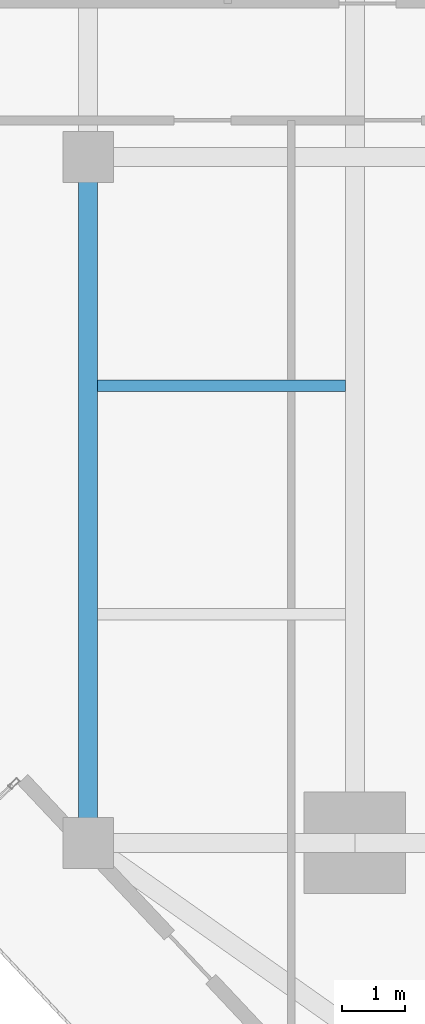
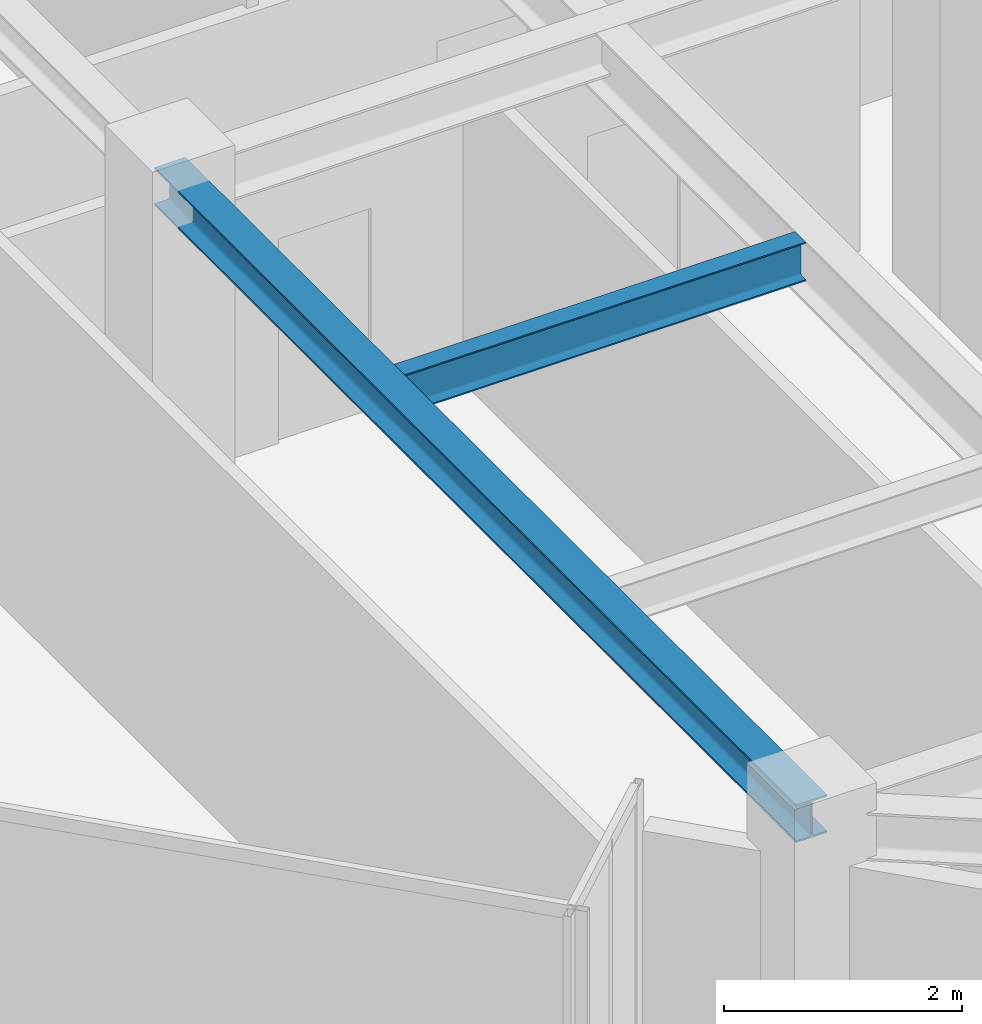
# One storey, part 6 of 24: 2 beams.
"""IFC4 building model written with IfcOpenShell, lengths in metres."""

from ifc_helpers import new_model, si_unit, direction, frame, origin, origin_2d, place, context, subcontext, project, spatial, i_section, extrude, source, transform, mapped, material, material_profile, profile_set, type_object, type_shapes, element, save


model = new_model("IFC4")

# Units and contexts
model_context = context("Model", 3, precision=1e-05, world=origin(), true_north=direction((0.0, 1.0)))
body_context = subcontext(model_context, "Body", "Model", "MODEL_VIEW")
ifc_project = project(units=[si_unit("LENGTHUNIT", "METRE"), si_unit("AREAUNIT", "SQUARE_METRE"), si_unit("VOLUMEUNIT", "CUBIC_METRE"), si_unit("PLANEANGLEUNIT", "RADIAN"), si_unit("MASSUNIT", "GRAM", prefix="KILO")], contexts=[model_context])

# Site, building, storey
site_placement = place(None, origin())
site = spatial("IfcSite", under=ifc_project, at=site_placement, CompositionType="ELEMENT")
building_placement = place(site_placement, origin())
building = spatial("IfcBuilding", under=site, at=building_placement, Name="Krantzveldt Concourse Tower", CompositionType="ELEMENT")
storey_placement = place(building_placement, frame((0.0, 0.0, 242.85009765625)))
storey = spatial("IfcBuildingStorey", under=building, at=storey_placement, Name="L59", CompositionType="ELEMENT", Elevation=242.85009765625)

# Beams
ifc_material = material(Name="Steel S355JR", Category="steel")
ifc_material_profile_1 = material_profile(ifc_material, i_section(OverallWidth=0.300048828125, OverallDepth=0.389892578125, WebThickness=0.010986328125, FlangeThickness=0.01904296875, FilletRadius=0.027099609375, at=origin_2d()), Name="Steel S355JR", Category="steel")
ifc_profile_set_1 = profile_set([ifc_material_profile_1], Name="Steel S355JR - HEA 400")
beam_type_1 = type_object("IfcBeamType", Name="BM-SP-HEA400", PredefinedType="SPANDREL", material=ifc_profile_set_1)
shared_shape_1 = source(origin(), body_context, "Body", "SweptSolid", [
    extrude(i_section(OverallWidth=0.300048828125, OverallDepth=0.389892578125, WebThickness=0.010986328125, FlangeThickness=0.01904296875, FilletRadius=0.027099609375, at=origin_2d()), origin(), (0.0, 0.0, 1.0), 10.800048828125),
])
type_shapes(beam_type_1, [shared_shape_1])
beam_1_placement = place(storey_placement, frame((21.0, 15.89990234375, 3.474853515625), z_axis=(0.0, 1.0, 0.0), x_axis=(-1.0, 0.0, 0.0)))
element("IfcBeam", 1, at=beam_1_placement, inside=storey, type_object=beam_type_1, Name="L59 Tower Girder SP-R01", PredefinedType="SPANDREL", context=body_context, shape_type="MappedRepresentation", body=[
    mapped(shared_shape_1, transform((0.0, 0.0, 0.0), x_axis=(1.0, 0.0, 0.0), y_axis=(0.0, 1.0, 0.0), z_axis=(0.0, 0.0, 1.0), scale=1.0)),
])
ifc_material_profile_2 = material_profile(ifc_material, i_section(OverallWidth=0.179931640625, OverallDepth=0.39990234375, WebThickness=0.008544921875, FlangeThickness=0.013427734375, FilletRadius=0.02099609375, at=origin_2d()), Name="Steel S355JR", Category="steel")
ifc_profile_set_2 = profile_set([ifc_material_profile_2], Name="Steel S355JR - IPE 400")
beam_type_2 = type_object("IfcBeamType", Name="BM-J-IPE400", PredefinedType="JOIST", material=ifc_profile_set_2)
shared_shape_2 = source(origin(), body_context, "Body", "SweptSolid", [
    extrude(i_section(OverallWidth=0.179931640625, OverallDepth=0.39990234375, WebThickness=0.008544921875, FlangeThickness=0.013427734375, FilletRadius=0.02099609375, at=origin_2d()), origin(), (0.0, 0.0, 1.0), 3.900146484375),
])
type_shapes(beam_type_2, [shared_shape_2])
beam_2_placement = place(storey_placement, frame((21.14990234375, 23.10009765625, 3.469970703125), z_axis=(1.0, 0.0, 0.0), x_axis=(0.0, 1.0, 0.0)))
element("IfcBeam", 2, at=beam_2_placement, inside=storey, type_object=beam_type_2, Name="L59 Secondary Floor Joist JW-2", PredefinedType="JOIST", context=body_context, shape_type="MappedRepresentation", body=[
    mapped(shared_shape_2, transform((0.0, 0.0, 0.0), x_axis=(1.0, 0.0, 0.0), y_axis=(0.0, 1.0, 0.0), z_axis=(0.0, 0.0, 1.0), scale=1.0)),
])

save(model, "model.ifc")
